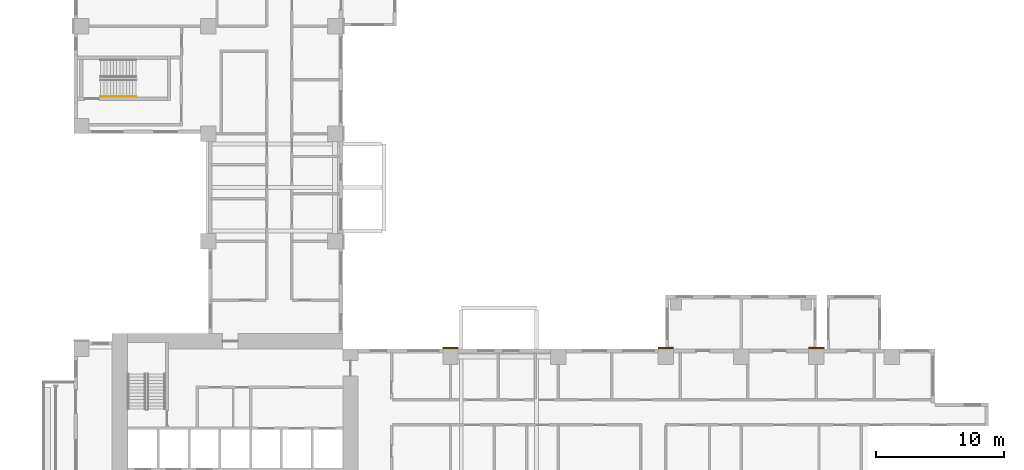
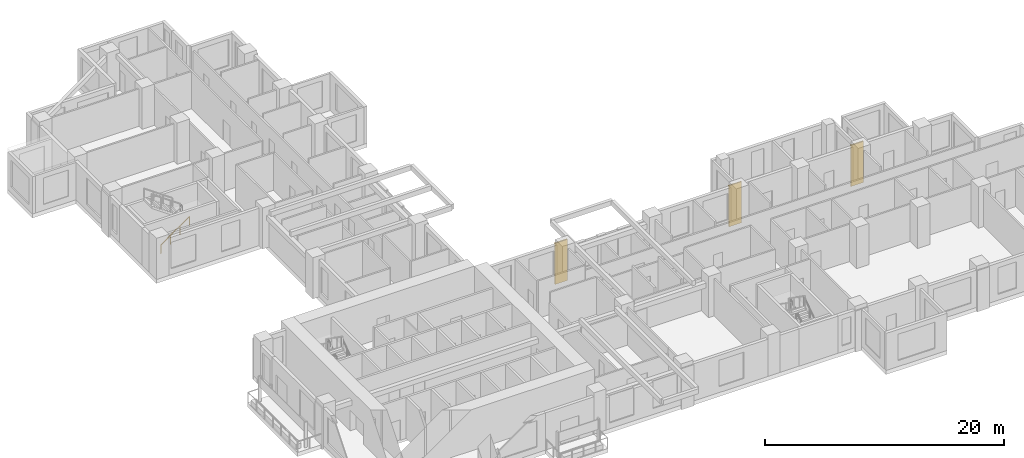
# One storey, part 13 of 15: 3 coverings, 1 railing.
"""IFC4 building model written with IfcOpenShell, lengths in metres."""

import ifcopenshell
import ifcopenshell.guid

model = None  # the IFC model being written
_history = None  # IfcOwnerHistory: only IFC2X3 demands one
_inside = {}  # id of a spatial element -> (the spatial element, [elements in it])
_under = {}  # id of a project, library or spatial element -> (it, [spatial elements below it])
_declared = {}  # id of a project -> (the project, [libraries it declares])
_typed = {}  # id of a type object -> (the type object, [elements of that type])
_made_of = {}  # id of a material, layer set ... -> (it, [elements and type objects made of it])


def new_model(schema):
    """Start an empty IFC model of exactly this schema.

    Asked for "IFC4X3", IfcOpenShell would pick the latest addendum, in which some entities
    have other attributes; the version numbers below select the first issue.
    IFC2X3 requires an IfcOwnerHistory on every rooted entity: one is made here for all.
    """
    global model, _history
    if schema == "IFC4X3":
        model = ifcopenshell.file(schema_version=(4, 3, 0, 0))
    else:
        model = ifcopenshell.file(schema=schema)
    _inside.clear()
    _under.clear()
    _declared.clear()
    _typed.clear()
    _made_of.clear()
    _history = None
    if model.schema == "IFC2X3":
        org = make("IfcOrganization", Name="unknown")
        user = make(
            "IfcPersonAndOrganization",
            ThePerson=make("IfcPerson", FamilyName="unknown"),
            TheOrganization=org,
        )
        app = make(
            "IfcApplication",
            ApplicationDeveloper=org,
            Version="unknown",
            ApplicationFullName="unknown",
            ApplicationIdentifier="unknown",
        )
        _history = make(
            "IfcOwnerHistory",
            OwningUser=user,
            OwningApplication=app,
            ChangeAction="ADDED",
            CreationDate=0,
        )
    return model


def make(cls, **values):
    """One entity of the class cls with the attributes given. An attribute that is None is left unset."""
    return model.create_entity(
        cls, **{name: value for name, value in values.items() if value is not None}
    )


def rooted(cls, **values):
    """An entity with a GlobalId (a new one), such as an element, a storey or a relation."""
    return make(cls, GlobalId=ifcopenshell.guid.new(), OwnerHistory=_history, **values)


def si_unit(unit_type, name, prefix=None):
    """IfcSIUnit, for example si_unit("LENGTHUNIT", "METRE", prefix="MILLI")."""
    return make("IfcSIUnit", UnitType=unit_type, Prefix=prefix, Name=name)


def assignment(units):
    """IfcUnitAssignment: the units of a project."""
    return None if units is None else make("IfcUnitAssignment", Units=units)


def point(xyz):
    """IfcCartesianPoint."""
    return None if xyz is None else make("IfcCartesianPoint", Coordinates=xyz)


def direction(xyz):
    """IfcDirection."""
    return None if xyz is None else make("IfcDirection", DirectionRatios=xyz)


def frame(location, z_axis=None, x_axis=None):
    """IfcAxis2Placement3D, a coordinate frame: its origin and axes. An axis left out is left unset."""
    return make(
        "IfcAxis2Placement3D",
        Location=point(location),
        Axis=direction(z_axis),
        RefDirection=direction(x_axis),
    )


def frame_2d(location, x_axis=None):
    """IfcAxis2Placement2D, a coordinate frame in the plane: its origin and x axis."""
    return make(
        "IfcAxis2Placement2D", Location=point(location), RefDirection=direction(x_axis)
    )


def origin():
    """The frame at (0, 0, 0) with its axes left unset."""
    return frame((0.0, 0.0, 0.0))


def origin_2d():
    """The frame at (0, 0) in the plane with its x axis left unset."""
    return frame_2d((0.0, 0.0))


def place(relative_to, where):
    """IfcLocalPlacement: puts the frame where relative to a parent placement (None: the world)."""
    return make(
        "IfcLocalPlacement", PlacementRelTo=relative_to, RelativePlacement=where
    )


def context(
    kind, dimensions, precision=None, world=None, true_north=None, identifier=None
):
    """IfcGeometricRepresentationContext, for example the 3D "Model" context."""
    return make(
        "IfcGeometricRepresentationContext",
        ContextIdentifier=identifier,
        ContextType=kind,
        CoordinateSpaceDimension=dimensions,
        Precision=precision,
        WorldCoordinateSystem=world,
        TrueNorth=true_north,
    )


def subcontext(parent, identifier, kind, view, scale=None):
    """IfcGeometricRepresentationSubContext, for example "Body" below "Model"."""
    return make(
        "IfcGeometricRepresentationSubContext",
        ContextIdentifier=identifier,
        ContextType=kind,
        ParentContext=parent,
        TargetScale=scale,
        TargetView=view,
    )


def project(units=None, contexts=None):
    """IfcProject with its units and contexts."""
    return rooted(
        "IfcProject",
        Name="project",
        RepresentationContexts=contexts,
        UnitsInContext=assignment(units),
    )


def spatial(cls, under=None, at=None, **own):
    """A site, building, storey or space (cls), placed at a placement, below another one or the project."""
    s = rooted(cls, ObjectPlacement=at, **own)
    if under is not None:
        _under.setdefault(under.id(), (under, []))[1].append(s)
    return s


def profile(cls, at=None, kind="AREA", **sizes):
    """A parametric profile (cls). Its sizes go by their IFC names, for example OverallWidth=200.0."""
    return make(cls, ProfileType=kind, Position=at, **sizes)


def rectangle(**sizes):
    """IfcRectangleProfileDef."""
    return profile("IfcRectangleProfileDef", **sizes)


def circle(**sizes):
    """IfcCircleProfileDef."""
    return profile("IfcCircleProfileDef", **sizes)


def extrude(swept, where, along, depth):
    """IfcExtrudedAreaSolid: the profile swept, set in the frame where, extruded along a direction by depth."""
    return make(
        "IfcExtrudedAreaSolid",
        SweptArea=swept,
        Position=where,
        ExtrudedDirection=direction(along),
        Depth=depth,
    )


def shape(context_of_items, identifier, shape_type, items):
    """IfcShapeRepresentation: the items that make up one representation, for example the "Body"."""
    return make(
        "IfcShapeRepresentation",
        ContextOfItems=context_of_items,
        RepresentationIdentifier=identifier,
        RepresentationType=shape_type,
        Items=items,
    )


def source(mapping_origin, context_of_items, identifier, shape_type, items):
    """IfcRepresentationMap: a shape defined once, which mapped items show again and again."""
    return make(
        "IfcRepresentationMap",
        MappingOrigin=mapping_origin,
        MappedRepresentation=shape(context_of_items, identifier, shape_type, items),
    )


def transform(
    local_origin,
    x_axis=None,
    y_axis=None,
    z_axis=None,
    scale=None,
    scale2=None,
    scale3=None,
    uniform=True,
):
    """IfcCartesianTransformationOperator3D, or its non-uniform kind. x_axis, y_axis, z_axis: its Axis1, 2, 3."""
    if uniform:
        return make(
            "IfcCartesianTransformationOperator3D",
            Axis1=direction(x_axis),
            Axis2=direction(y_axis),
            LocalOrigin=point(local_origin),
            Scale=scale,
            Axis3=direction(z_axis),
        )
    return make(
        "IfcCartesianTransformationOperator3DnonUniform",
        Axis1=direction(x_axis),
        Axis2=direction(y_axis),
        LocalOrigin=point(local_origin),
        Scale=scale,
        Axis3=direction(z_axis),
        Scale2=scale2,
        Scale3=scale3,
    )


def mapped(mapping_source, mapping_target):
    """IfcMappedItem: shows the shape of a source again, moved by a transform."""
    return make(
        "IfcMappedItem", MappingSource=mapping_source, MappingTarget=mapping_target
    )


def material(Name=None, Category=None):
    """IfcMaterial."""
    return make("IfcMaterial", Name=Name, Category=Category)


def made_of(thing, what):
    """Note that an element or type object is made of a material, layer set ...; save() writes the relation."""
    if what is not None:
        _made_of.setdefault(what.id(), (what, []))[1].append(thing)
    return thing


def type_object(cls, material=None, **own):
    """A type object (cls), such as IfcWallType, which elements share."""
    return made_of(rooted(cls, **own), material)


def element(
    cls,
    number,
    at=None,
    inside=None,
    cuts=None,
    type_object=None,
    material=None,
    context=None,
    identifier="Body",
    shape_type=None,
    held_by="IfcProductDefinitionShape",
    body=None,
    shapes=None,
    **own,
):
    """One element of the class cls, such as IfcWall. Its Tag is "e" and its number.

    at: its placement. inside: the storey or other place that contains it. cuts: it is an
    opening in that element (IfcRelVoidsElement). A single representation is given by context,
    identifier, shape_type and body (its items); several are given by shapes. held_by: the class
    of the entity that holds the representations. save() writes the other relations.
    """
    e = rooted(cls, Tag="e%d" % number, ObjectPlacement=at, **own)
    if body is not None:
        shapes = [shape(context, identifier, shape_type, body)]
    if shapes is not None:
        e.Representation = make(held_by, Representations=shapes)
    if inside is not None:
        _inside.setdefault(inside.id(), (inside, []))[1].append(e)
    if cuts is not None:
        rooted(
            "IfcRelVoidsElement", RelatingBuildingElement=cuts, RelatedOpeningElement=e
        )
    if type_object is not None:
        _typed.setdefault(type_object.id(), (type_object, []))[1].append(e)
    return made_of(e, material)


def aggregate(whole, parts):
    """IfcRelAggregates: a whole, such as a stair, and the parts it consists of."""
    return rooted("IfcRelAggregates", RelatingObject=whole, RelatedObjects=parts)


def save(model, path):
    """Write the relations noted so far, then the file.

    IfcRelAggregates (storeys below a building ...), IfcRelContainedInSpatialStructure (elements
    in a storey), IfcRelDefinesByType, IfcRelAssociatesMaterial and IfcRelDeclares: one each for
    every whole, place, type object, material and project.
    """
    for whole, parts in _under.values():
        aggregate(whole, parts)
    for where, things in _inside.values():
        rooted(
            "IfcRelContainedInSpatialStructure",
            RelatedElements=things,
            RelatingStructure=where,
        )
    for kind, things in _typed.values():
        rooted("IfcRelDefinesByType", RelatedObjects=things, RelatingType=kind)
    for what, things in _made_of.values():
        rooted("IfcRelAssociatesMaterial", RelatedObjects=things, RelatingMaterial=what)
    for by, libraries in _declared.values():
        rooted("IfcRelDeclares", RelatingContext=by, RelatedDefinitions=libraries)
    model.write(path)


model = new_model("IFC4")

# Units and contexts
model_context = context("Model", 3, precision=1e-05, world=origin(), true_north=direction((0.0, 1.0)))
body_context = subcontext(model_context, "Body", "Model", "MODEL_VIEW")
ifc_project = project(units=[si_unit("LENGTHUNIT", "METRE"), si_unit("AREAUNIT", "SQUARE_METRE"), si_unit("VOLUMEUNIT", "CUBIC_METRE"), si_unit("PLANEANGLEUNIT", "RADIAN"), si_unit("MASSUNIT", "GRAM", prefix="KILO")], contexts=[model_context])

# Site, building, storey
site_placement = place(None, origin())
site = spatial("IfcSite", under=ifc_project, at=site_placement, CompositionType="ELEMENT")
building_placement = place(site_placement, origin())
building = spatial("IfcBuilding", under=site, at=building_placement, Name="Aurelian Terraces", CompositionType="ELEMENT")
storey_placement = place(building_placement, frame((0.0, 0.0, 74.1)))
storey = spatial("IfcBuildingStorey", under=building, at=storey_placement, Name="L15", CompositionType="ELEMENT", Elevation=74.1)

# Coverings
ifc_material_1 = material(Name="Terracotta rainscreen cladding relief", Category="masonry")
covering_type = type_object("IfcCoveringType", Name="BAGUETTE-TC", PredefinedType="CLADDING", material=ifc_material_1)
shared_shape_1 = source(origin(), body_context, "Body", "SweptSolid", [
    extrude(rectangle(XDim=1.2, YDim=0.12, at=origin_2d()), origin(), (0.0, 0.0, 1.0), 4.2),
])
for number, where, z_axis, x_axis, name in (
    (1, (29.4, 21.06, -0.4), (0.0, 0.0, 1.0), (1.0, 0.0, 0.0), "BAGUETTE pier L15 6"),
    (2, (46.2, 21.06, -0.4), (0.0, 0.0, 1.0), (1.0, 0.0, 0.0), "BAGUETTE pier L15 7"),
    (3, (57.96, 21.06, -0.4), (0.0, 0.0, 1.0), (1.0, 0.0, 0.0), "BAGUETTE pier L15 8"),
):
    element("IfcCovering", number, at=place(storey_placement, frame(where, z_axis=z_axis, x_axis=x_axis)), inside=storey, type_object=covering_type, Name=name, PredefinedType="CLADDING", context=body_context, shape_type="MappedRepresentation", body=[
        mapped(shared_shape_1, transform((0.0, 0.0, 0.0), scale=1.0)),
    ])

# Railing
ifc_material_2 = material(Name="Stainless steel", Category="steel")
railing_type = type_object("IfcRailingType", Name="Stair handrail", PredefinedType="HANDRAIL", material=ifc_material_2)
shared_shape_2 = source(origin(), body_context, "Body", "SweptSolid", [
    extrude(circle(Radius=0.024, at=origin_2d()), frame((0.0, 0.0, 0.876), z_axis=(0.819231920519, 0.0, 0.573462344363), x_axis=(0.0, 1.0, 0.0)), (0.0, 0.0, 1.0), 3.3568),
    extrude(circle(Radius=0.021, at=origin_2d()), origin(), (0.0, 0.0, 1.0), 0.852),
    extrude(circle(Radius=0.021, at=origin_2d()), frame((0.9167, 0.0, 0.6417)), (0.0, 0.0, 1.0), 0.852),
    extrude(circle(Radius=0.021, at=origin_2d()), frame((1.8333, 0.0, 1.2833)), (0.0, 0.0, 1.0), 0.852),
    extrude(circle(Radius=0.021, at=origin_2d()), frame((2.75, 0.0, 1.925)), (0.0, 0.0, 1.0), 0.852),
])
railing_placement = place(storey_placement, frame((2.1, 40.7, 0.175)))
element("IfcRailing", 4, at=railing_placement, inside=storey, type_object=railing_type, Name="L15 S3 stair handrail 1", PredefinedType="HANDRAIL", context=body_context, shape_type="MappedRepresentation", body=[
    mapped(shared_shape_2, transform((0.0, 0.0, 0.0), scale=1.0)),
])

save(model, "model.ifc")
